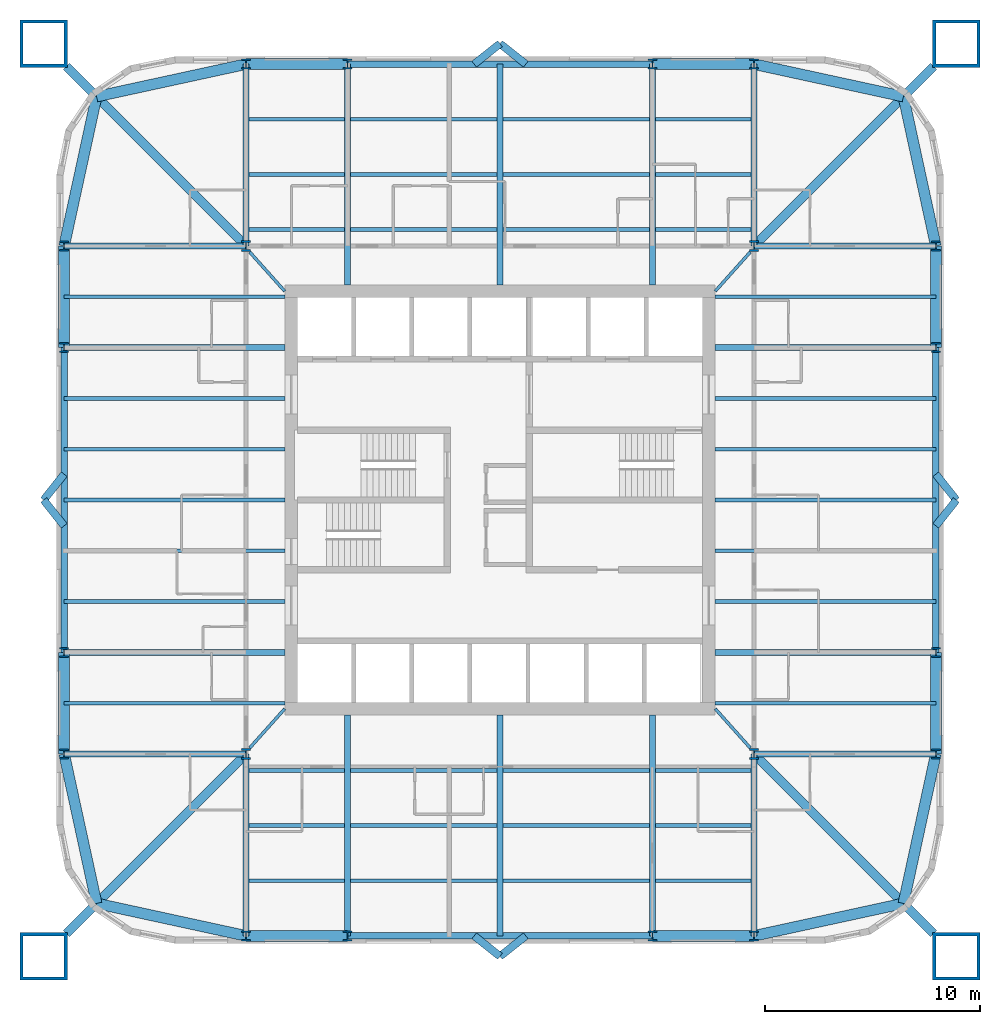
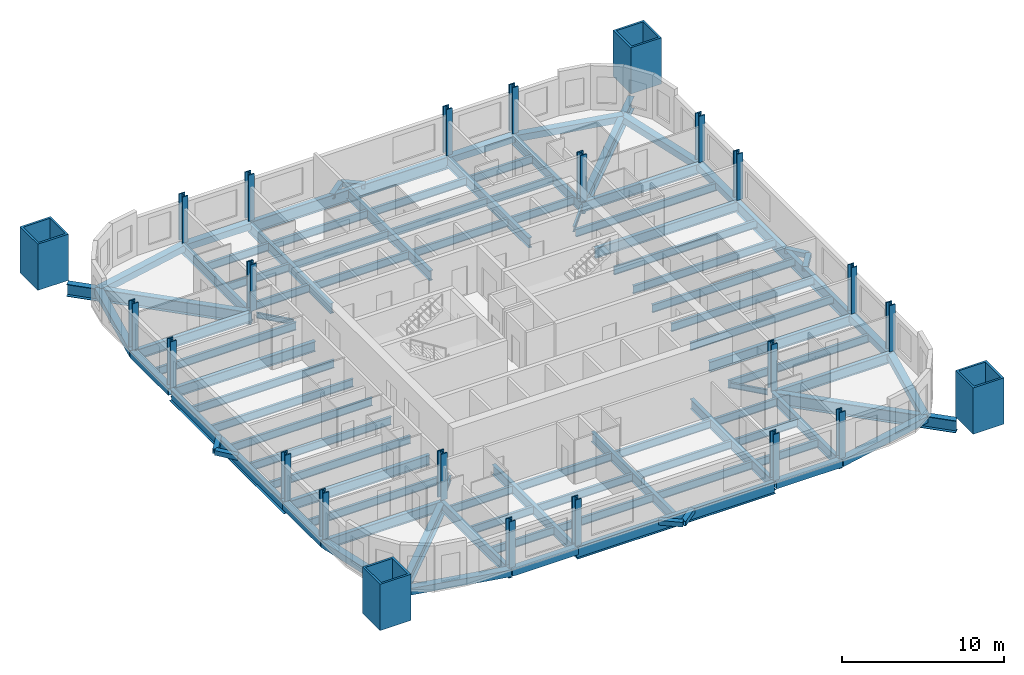
# One storey, part 1 of 9: 92 beams, 24 columns.
"""IFC4 building model written with IfcOpenShell, lengths in metres."""

from ifc_helpers import new_model, si_unit, direction, frame, origin, origin_2d, place, context, subcontext, project, spatial, hollow_rectangle, i_section, extrude, material, material_profile, profile_set, type_object, element, save


model = new_model("IFC4")

# Units and contexts
model_context = context("Model", 3, precision=1e-05, world=origin(), true_north=direction((0.0, 1.0)))
body_context = subcontext(model_context, "Body", "Model", "MODEL_VIEW")
ifc_project = project(units=[si_unit("LENGTHUNIT", "METRE"), si_unit("AREAUNIT", "SQUARE_METRE"), si_unit("VOLUMEUNIT", "CUBIC_METRE"), si_unit("PLANEANGLEUNIT", "RADIAN"), si_unit("MASSUNIT", "GRAM", prefix="KILO")], contexts=[model_context])

# Site, building, storey
site_placement = place(None, origin())
site = spatial("IfcSite", under=ifc_project, at=site_placement, CompositionType="ELEMENT")
building_placement = place(site_placement, origin())
building = spatial("IfcBuilding", under=site, at=building_placement, Name="Turquesa Mirador Hotel Tower", CompositionType="ELEMENT")
storey_placement = place(building_placement, frame((0.0, 0.0, 124.89990234375)))
storey = spatial("IfcBuildingStorey", under=building, at=storey_placement, Name="L33", CompositionType="ELEMENT", Elevation=124.89990234375)

# Columns
ifc_material_1 = material(Name="Steel ASTM A992 Grade 50", Category="steel")
ifc_material_profile_1 = material_profile(ifc_material_1, i_section(OverallWidth=0.421630859375, OverallDepth=0.46484375, WebThickness=0.044921875, FlangeThickness=0.072509765625, at=origin_2d()), Name="W14X398")
ifc_profile_set_1 = profile_set([ifc_material_profile_1], Name="Steel ASTM A992 Grade 50")
column_type_1 = type_object("IfcColumnType", Name="COLUMN W14X398", PredefinedType="COLUMN", material=ifc_profile_set_1)
for number, where, z_axis, x_axis, name in (
    (1, (34.75, 33.199951171875, 0.0), (0.0, 0.0, 1.0), (1.0, 0.0, 0.0), "COL-L33-P--20.25--11.80"),
    (2, (34.75, 37.919921875, 0.0), (0.0, 0.0, 1.0), (1.0, 0.0, 0.0), "COL-L33-P--20.25--7.08"),
    (3, (34.75, 52.080078125, 0.0), (0.0, 0.0, 1.0), (1.0, 0.0, 0.0), "COL-L33-P--20.25-+7.08"),
    (4, (34.75, 56.800048828125, 0.0), (0.0, 0.0, 1.0), (1.0, 0.0, 0.0), "COL-L33-P--20.25-+11.80"),
    (5, (43.199951171875, 24.75, 0.0), (0.0, 0.0, 1.0), (1.0, 0.0, 0.0), "COL-L33-P--11.80--20.25"),
    (6, (43.199951171875, 65.25, 0.0), (0.0, 0.0, 1.0), (1.0, 0.0, 0.0), "COL-L33-P--11.80-+20.25"),
    (7, (47.919921875, 24.75, 0.0), (0.0, 0.0, 1.0), (1.0, 0.0, 0.0), "COL-L33-P--7.08--20.25"),
    (8, (47.919921875, 65.25, 0.0), (0.0, 0.0, 1.0), (1.0, 0.0, 0.0), "COL-L33-P--7.08-+20.25"),
    (9, (62.080078125, 24.75, 0.0), (0.0, 0.0, 1.0), (1.0, 0.0, 0.0), "COL-L33-P-+7.08--20.25"),
    (10, (62.080078125, 65.25, 0.0), (0.0, 0.0, 1.0), (1.0, 0.0, 0.0), "COL-L33-P-+7.08-+20.25"),
    (11, (66.800048828125, 24.75, 0.0), (0.0, 0.0, 1.0), (1.0, 0.0, 0.0), "COL-L33-P-+11.80--20.25"),
    (12, (66.800048828125, 65.25, 0.0), (0.0, 0.0, 1.0), (1.0, 0.0, 0.0), "COL-L33-P-+11.80-+20.25"),
    (13, (75.25, 33.199951171875, 0.0), (0.0, 0.0, 1.0), (1.0, 0.0, 0.0), "COL-L33-P-+20.25--11.80"),
    (14, (75.25, 37.919921875, 0.0), (0.0, 0.0, 1.0), (1.0, 0.0, 0.0), "COL-L33-P-+20.25--7.08"),
    (15, (75.25, 52.080078125, 0.0), (0.0, 0.0, 1.0), (1.0, 0.0, 0.0), "COL-L33-P-+20.25-+7.08"),
    (16, (75.25, 56.800048828125, 0.0), (0.0, 0.0, 1.0), (1.0, 0.0, 0.0), "COL-L33-P-+20.25-+11.80"),
):
    element("IfcColumn", number, at=place(storey_placement, frame(where, z_axis=z_axis, x_axis=x_axis)), inside=storey, type_object=column_type_1, Name=name, PredefinedType="COLUMN", context=body_context, shape_type="SweptSolid", body=[
        extrude(i_section(OverallWidth=0.421630859375, OverallDepth=0.46484375, WebThickness=0.044921875, FlangeThickness=0.072509765625, at=origin_2d()), origin(), (0.0, 0.0, 1.0), 3.5),
    ])
ifc_material_2 = material(Name="Steel ASTM A992 Grade 50", Category="steel")
ifc_material_profile_2 = material_profile(ifc_material_2, i_section(OverallWidth=0.431884765625, OverallDepth=0.497802734375, WebThickness=0.0556640625, FlangeThickness=0.0888671875, at=origin_2d()), Name="W14X500")
ifc_profile_set_2 = profile_set([ifc_material_profile_2], Name="Steel ASTM A992 Grade 50")
column_type_2 = type_object("IfcColumnType", Name="COLUMN W14X500", PredefinedType="COLUMN", material=ifc_profile_set_2)
for number, where, z_axis, x_axis, name in (
    (17, (43.199951171875, 33.199951171875, 0.0), (0.0, 0.0, 1.0), (1.0, 0.0, 0.0), "COL-L33-K--11.80--11.80"),
    (18, (43.199951171875, 56.800048828125, 0.0), (0.0, 0.0, 1.0), (1.0, 0.0, 0.0), "COL-L33-K--11.80-+11.80"),
    (19, (66.800048828125, 33.199951171875, 0.0), (0.0, 0.0, 1.0), (1.0, 0.0, 0.0), "COL-L33-K-+11.80--11.80"),
    (20, (66.800048828125, 56.800048828125, 0.0), (0.0, 0.0, 1.0), (1.0, 0.0, 0.0), "COL-L33-K-+11.80-+11.80"),
):
    element("IfcColumn", number, at=place(storey_placement, frame(where, z_axis=z_axis, x_axis=x_axis)), inside=storey, type_object=column_type_2, Name=name, PredefinedType="COLUMN", context=body_context, shape_type="SweptSolid", body=[
        extrude(i_section(OverallWidth=0.431884765625, OverallDepth=0.497802734375, WebThickness=0.0556640625, FlangeThickness=0.0888671875, at=origin_2d()), origin(), (0.0, 0.0, 1.0), 3.5),
    ])
ifc_material_3 = material(Name="Steel ASTM A514 Grade Q", Category="steel")
ifc_material_profile_3 = material_profile(ifc_material_3, hollow_rectangle(XDim=2.199951171875, YDim=2.199951171875, WallThickness=0.14990234375, at=origin_2d()), Name="BOX2200X2200X150")
ifc_profile_set_3 = profile_set([ifc_material_profile_3], Name="Steel ASTM A514 Grade Q")
column_type_3 = type_object("IfcColumnType", Name="MEGA COLUMN BOX2200X2200X150", PredefinedType="COLUMN", material=ifc_profile_set_3)
for number, where, z_axis, x_axis, name in (
    (21, (76.199951171875, 66.199951171875, 0.0), (0.0, 0.0, 1.0), (1.0, 0.0, 0.0), "Mega column M1"),
    (22, (33.800048828125, 66.199951171875, 0.0), (0.0, 0.0, 1.0), (1.0, 0.0, 0.0), "Mega column M2"),
    (23, (33.800048828125, 23.800048828125, 0.0), (0.0, 0.0, 1.0), (1.0, 0.0, 0.0), "Mega column M3"),
    (24, (76.199951171875, 23.800048828125, 0.0), (0.0, 0.0, 1.0), (1.0, 0.0, 0.0), "Mega column M4"),
):
    element("IfcColumn", number, at=place(storey_placement, frame(where, z_axis=z_axis, x_axis=x_axis)), inside=storey, type_object=column_type_3, Name=name, PredefinedType="COLUMN", context=body_context, shape_type="SweptSolid", body=[
        extrude(hollow_rectangle(XDim=2.199951171875, YDim=2.199951171875, WallThickness=0.14990234375, at=origin_2d()), origin(), (0.0, 0.0, 1.0), 3.5),
    ])

# Beams
ifc_material_4 = material(Name="Steel ASTM A572 Grade 50", Category="steel")
ifc_material_profile_4 = material_profile(ifc_material_4, hollow_rectangle(XDim=0.5, YDim=0.5, WallThickness=0.01611328125, at=origin_2d()), Name="BOX500X500X16")
ifc_profile_set_4 = profile_set([ifc_material_profile_4], Name="Steel ASTM A572 Grade 50")
beam_type_1 = type_object("IfcBeamType", Name="BEAM BOX500X500X16", PredefinedType="BEAM", material=ifc_profile_set_4)
for number, where, z_axis, x_axis, name in (
    (25, (43.199951171875, 65.25, -0.419921875), (1.0, 0.0, 0.0), (0.0, 1.0, 0.0), "EB-L33-N-L"),
    (26, (62.080078125, 65.25, -0.419921875), (1.0, 0.0, 0.0), (0.0, 1.0, 0.0), "EB-L33-N-R"),
    (27, (43.199951171875, 24.75, -0.419921875), (1.0, 0.0, 0.0), (0.0, 1.0, 0.0), "EB-L33-S-L"),
    (28, (62.080078125, 24.75, -0.419921875), (1.0, 0.0, 0.0), (0.0, 1.0, 0.0), "EB-L33-S-R"),
    (29, (75.25, 33.199951171875, -0.419921875), (0.0, 1.0, 0.0), (-1.0, 0.0, 0.0), "EB-L33-E-L"),
    (30, (75.25, 52.080078125, -0.419921875), (0.0, 1.0, 0.0), (-1.0, 0.0, 0.0), "EB-L33-E-R"),
    (31, (34.75, 33.199951171875, -0.419921875), (0.0, 1.0, 0.0), (-1.0, 0.0, 0.0), "EB-L33-W-L"),
    (32, (34.75, 52.080078125, -0.419921875), (0.0, 1.0, 0.0), (-1.0, 0.0, 0.0), "EB-L33-W-R"),
):
    element("IfcBeam", number, at=place(storey_placement, frame(where, z_axis=z_axis, x_axis=x_axis)), inside=storey, type_object=beam_type_1, Name=name, PredefinedType="BEAM", context=body_context, shape_type="SweptSolid", body=[
        extrude(hollow_rectangle(XDim=0.5, YDim=0.5, WallThickness=0.01611328125, at=origin_2d()), origin(), (0.0, 0.0, 1.0), 4.719970703125),
    ])
for number, where, z_axis, x_axis, name in (
    (33, (75.25, 56.800048828125, -0.419921875), (-0.212328336885, 0.977198381781, 0.0), (-0.977198381781, -0.212328336885, 0.0), "KE-L33-1-0"),
    (34, (73.74169921875, 63.74169921875, -0.419921875), (-0.977198381781, 0.212328336885, 0.0), (-0.212328336885, -0.977198381781, 0.0), "KE-L33-1-1"),
    (35, (34.75, 56.800048828125, -0.419921875), (0.212328336885, 0.977198381781, 0.0), (-0.977198381781, 0.212328336885, 0.0), "KE-L33-2-0"),
    (36, (36.25830078125, 63.74169921875, -0.419921875), (0.977198381781, 0.212328336885, 0.0), (-0.212328336885, 0.977198381781, 0.0), "KE-L33-2-1"),
    (37, (34.75, 33.199951171875, -0.419921875), (0.212328336885, -0.977198381781, 0.0), (0.977198381781, 0.212328336885, 0.0), "KE-L33-3-0"),
    (38, (36.25830078125, 26.25830078125, -0.419921875), (0.977198381781, -0.212328336885, 0.0), (0.212328336885, 0.977198381781, 0.0), "KE-L33-3-1"),
    (39, (75.25, 33.199951171875, -0.419921875), (-0.212328336885, -0.977198381781, 0.0), (0.977198381781, -0.212328336885, 0.0), "KE-L33-4-0"),
    (40, (73.74169921875, 26.25830078125, -0.419921875), (-0.977198381781, -0.212328336885, 0.0), (0.212328336885, -0.977198381781, 0.0), "KE-L33-4-1"),
):
    element("IfcBeam", number, at=place(storey_placement, frame(where, z_axis=z_axis, x_axis=x_axis)), inside=storey, type_object=beam_type_1, Name=name, PredefinedType="BEAM", context=body_context, shape_type="SweptSolid", body=[
        extrude(hollow_rectangle(XDim=0.5, YDim=0.5, WallThickness=0.01611328125, at=origin_2d()), origin(), (0.0, 0.0, 1.0), 7.103515625),
    ])
ifc_material_5 = material(Name="Steel ASTM A992 Grade 50", Category="steel")
ifc_material_profile_5 = material_profile(ifc_material_5, i_section(OverallWidth=0.140380859375, OverallDepth=0.40380859375, WebThickness=0.007080078125, FlangeThickness=0.01123046875, at=origin_2d()), Name="W16X31")
ifc_profile_set_5 = profile_set([ifc_material_profile_5], Name="Steel ASTM A992 Grade 50")
beam_type_2 = type_object("IfcBeamType", Name="BEAM W16X31", PredefinedType="BEAM", material=ifc_profile_set_5)
for number, where, z_axis, x_axis, name in (
    (41, (66.626953125, 56.518310546875, -0.371826171875), (-0.66679485947, -0.745241313525, 0.0), (0.745241313525, -0.66679485947, 0.0), "KT-L33-1"),
    (42, (43.373046875, 56.518310546875, -0.371826171875), (0.66679485947, -0.745241313525, 0.0), (0.745241313525, 0.66679485947, 0.0), "KT-L33-2"),
    (43, (43.373046875, 33.481689453125, -0.371826171875), (0.66679485947, 0.745241313525, 0.0), (-0.745241313525, 0.66679485947, 0.0), "KT-L33-3"),
    (44, (66.626953125, 33.481689453125, -0.371826171875), (-0.66679485947, 0.745241313525, 0.0), (-0.745241313525, -0.66679485947, 0.0), "KT-L33-4"),
):
    element("IfcBeam", number, at=place(storey_placement, frame(where, z_axis=z_axis, x_axis=x_axis)), inside=storey, type_object=beam_type_2, Name=name, PredefinedType="BEAM", context=body_context, shape_type="SweptSolid", body=[
        extrude(i_section(OverallWidth=0.140380859375, OverallDepth=0.40380859375, WebThickness=0.007080078125, FlangeThickness=0.01123046875, at=origin_2d()), origin(), (0.0, 0.0, 1.0), 2.43994140625),
    ])
ifc_material_6 = material(Name="Steel ASTM A992 Grade 50", Category="steel")
ifc_material_profile_6 = material_profile(ifc_material_6, i_section(OverallWidth=0.177978515625, OverallDepth=0.599365234375, WebThickness=0.010009765625, FlangeThickness=0.012939453125, at=origin_2d()), Name="W24X55")
ifc_profile_set_6 = profile_set([ifc_material_profile_6], Name="Steel ASTM A992 Grade 50")
beam_type_3 = type_object("IfcBeamType", Name="BEAM W24X55", PredefinedType="BEAM", material=ifc_profile_set_6)
beam_1_placement = place(storey_placement, frame((43.333251953125, 57.56201171875, -0.4697265625), z_axis=(1.0, 0.0, 0.0), x_axis=(0.0, 1.0, 0.0)))
element("IfcBeam", 45, at=beam_1_placement, inside=storey, type_object=beam_type_3, Name="IB-L33-N-1-0", PredefinedType="BEAM", context=body_context, shape_type="SweptSolid", body=[
    extrude(i_section(OverallWidth=0.177978515625, OverallDepth=0.599365234375, WebThickness=0.010009765625, FlangeThickness=0.012939453125, at=origin_2d()), origin(), (0.0, 0.0, 1.0), 4.453369140625),
])
for number, where, z_axis, x_axis, name in (
    (46, (48.053466796875, 57.56201171875, -0.4697265625), (1.0, 0.0, 0.0), (0.0, 1.0, 0.0), "IB-L33-N-1-1"),
    (47, (55.13330078125, 57.56201171875, -0.4697265625), (1.0, 0.0, 0.0), (0.0, 1.0, 0.0), "IB-L33-N-1-2"),
):
    element("IfcBeam", number, at=place(storey_placement, frame(where, z_axis=z_axis, x_axis=x_axis)), inside=storey, type_object=beam_type_3, Name=name, PredefinedType="BEAM", context=body_context, shape_type="SweptSolid", body=[
        extrude(i_section(OverallWidth=0.177978515625, OverallDepth=0.599365234375, WebThickness=0.010009765625, FlangeThickness=0.012939453125, at=origin_2d()), origin(), (0.0, 0.0, 1.0), 6.813232421875),
    ])
for number, where, z_axis, x_axis, name in (
    (48, (62.21337890625, 57.56201171875, -0.4697265625), (1.0, 0.0, 0.0), (0.0, 1.0, 0.0), "IB-L33-N-1-3"),
    (49, (43.333251953125, 60.125, -0.4697265625), (1.0, 0.0, 0.0), (0.0, 1.0, 0.0), "IB-L33-N-2-0"),
):
    element("IfcBeam", number, at=place(storey_placement, frame(where, z_axis=z_axis, x_axis=x_axis)), inside=storey, type_object=beam_type_3, Name=name, PredefinedType="BEAM", context=body_context, shape_type="SweptSolid", body=[
        extrude(i_section(OverallWidth=0.177978515625, OverallDepth=0.599365234375, WebThickness=0.010009765625, FlangeThickness=0.012939453125, at=origin_2d()), origin(), (0.0, 0.0, 1.0), 4.453369140625),
    ])
for number, where, z_axis, x_axis, name in (
    (50, (48.053466796875, 60.125, -0.4697265625), (1.0, 0.0, 0.0), (0.0, 1.0, 0.0), "IB-L33-N-2-1"),
    (51, (55.13330078125, 60.125, -0.4697265625), (1.0, 0.0, 0.0), (0.0, 1.0, 0.0), "IB-L33-N-2-2"),
):
    element("IfcBeam", number, at=place(storey_placement, frame(where, z_axis=z_axis, x_axis=x_axis)), inside=storey, type_object=beam_type_3, Name=name, PredefinedType="BEAM", context=body_context, shape_type="SweptSolid", body=[
        extrude(i_section(OverallWidth=0.177978515625, OverallDepth=0.599365234375, WebThickness=0.010009765625, FlangeThickness=0.012939453125, at=origin_2d()), origin(), (0.0, 0.0, 1.0), 6.813232421875),
    ])
for number, where, z_axis, x_axis, name in (
    (52, (62.21337890625, 60.125, -0.4697265625), (1.0, 0.0, 0.0), (0.0, 1.0, 0.0), "IB-L33-N-2-3"),
    (53, (43.333251953125, 62.68798828125, -0.4697265625), (1.0, 0.0, 0.0), (0.0, 1.0, 0.0), "IB-L33-N-3-0"),
):
    element("IfcBeam", number, at=place(storey_placement, frame(where, z_axis=z_axis, x_axis=x_axis)), inside=storey, type_object=beam_type_3, Name=name, PredefinedType="BEAM", context=body_context, shape_type="SweptSolid", body=[
        extrude(i_section(OverallWidth=0.177978515625, OverallDepth=0.599365234375, WebThickness=0.010009765625, FlangeThickness=0.012939453125, at=origin_2d()), origin(), (0.0, 0.0, 1.0), 4.453369140625),
    ])
for number, where, z_axis, x_axis, name in (
    (54, (48.053466796875, 62.68798828125, -0.4697265625), (1.0, 0.0, 0.0), (0.0, 1.0, 0.0), "IB-L33-N-3-1"),
    (55, (55.13330078125, 62.68798828125, -0.4697265625), (1.0, 0.0, 0.0), (0.0, 1.0, 0.0), "IB-L33-N-3-2"),
):
    element("IfcBeam", number, at=place(storey_placement, frame(where, z_axis=z_axis, x_axis=x_axis)), inside=storey, type_object=beam_type_3, Name=name, PredefinedType="BEAM", context=body_context, shape_type="SweptSolid", body=[
        extrude(i_section(OverallWidth=0.177978515625, OverallDepth=0.599365234375, WebThickness=0.010009765625, FlangeThickness=0.012939453125, at=origin_2d()), origin(), (0.0, 0.0, 1.0), 6.813232421875),
    ])
for number, where, z_axis, x_axis, name in (
    (56, (62.21337890625, 62.68798828125, -0.4697265625), (1.0, 0.0, 0.0), (0.0, 1.0, 0.0), "IB-L33-N-3-3"),
    (57, (43.333251953125, 32.43798828125, -0.4697265625), (1.0, 0.0, 0.0), (0.0, 1.0, 0.0), "IB-L33-S-1-0"),
):
    element("IfcBeam", number, at=place(storey_placement, frame(where, z_axis=z_axis, x_axis=x_axis)), inside=storey, type_object=beam_type_3, Name=name, PredefinedType="BEAM", context=body_context, shape_type="SweptSolid", body=[
        extrude(i_section(OverallWidth=0.177978515625, OverallDepth=0.599365234375, WebThickness=0.010009765625, FlangeThickness=0.012939453125, at=origin_2d()), origin(), (0.0, 0.0, 1.0), 4.453369140625),
    ])
for number, where, z_axis, x_axis, name in (
    (58, (48.053466796875, 32.43798828125, -0.4697265625), (1.0, 0.0, 0.0), (0.0, 1.0, 0.0), "IB-L33-S-1-1"),
    (59, (55.13330078125, 32.43798828125, -0.4697265625), (1.0, 0.0, 0.0), (0.0, 1.0, 0.0), "IB-L33-S-1-2"),
):
    element("IfcBeam", number, at=place(storey_placement, frame(where, z_axis=z_axis, x_axis=x_axis)), inside=storey, type_object=beam_type_3, Name=name, PredefinedType="BEAM", context=body_context, shape_type="SweptSolid", body=[
        extrude(i_section(OverallWidth=0.177978515625, OverallDepth=0.599365234375, WebThickness=0.010009765625, FlangeThickness=0.012939453125, at=origin_2d()), origin(), (0.0, 0.0, 1.0), 6.813232421875),
    ])
for number, where, z_axis, x_axis, name in (
    (60, (62.21337890625, 32.43798828125, -0.4697265625), (1.0, 0.0, 0.0), (0.0, 1.0, 0.0), "IB-L33-S-1-3"),
    (61, (43.333251953125, 29.875, -0.4697265625), (1.0, 0.0, 0.0), (0.0, 1.0, 0.0), "IB-L33-S-2-0"),
):
    element("IfcBeam", number, at=place(storey_placement, frame(where, z_axis=z_axis, x_axis=x_axis)), inside=storey, type_object=beam_type_3, Name=name, PredefinedType="BEAM", context=body_context, shape_type="SweptSolid", body=[
        extrude(i_section(OverallWidth=0.177978515625, OverallDepth=0.599365234375, WebThickness=0.010009765625, FlangeThickness=0.012939453125, at=origin_2d()), origin(), (0.0, 0.0, 1.0), 4.453369140625),
    ])
for number, where, z_axis, x_axis, name in (
    (62, (48.053466796875, 29.875, -0.4697265625), (1.0, 0.0, 0.0), (0.0, 1.0, 0.0), "IB-L33-S-2-1"),
    (63, (55.13330078125, 29.875, -0.4697265625), (1.0, 0.0, 0.0), (0.0, 1.0, 0.0), "IB-L33-S-2-2"),
):
    element("IfcBeam", number, at=place(storey_placement, frame(where, z_axis=z_axis, x_axis=x_axis)), inside=storey, type_object=beam_type_3, Name=name, PredefinedType="BEAM", context=body_context, shape_type="SweptSolid", body=[
        extrude(i_section(OverallWidth=0.177978515625, OverallDepth=0.599365234375, WebThickness=0.010009765625, FlangeThickness=0.012939453125, at=origin_2d()), origin(), (0.0, 0.0, 1.0), 6.813232421875),
    ])
for number, where, z_axis, x_axis, name in (
    (64, (62.21337890625, 29.875, -0.4697265625), (1.0, 0.0, 0.0), (0.0, 1.0, 0.0), "IB-L33-S-2-3"),
    (65, (43.333251953125, 27.31201171875, -0.4697265625), (1.0, 0.0, 0.0), (0.0, 1.0, 0.0), "IB-L33-S-3-0"),
):
    element("IfcBeam", number, at=place(storey_placement, frame(where, z_axis=z_axis, x_axis=x_axis)), inside=storey, type_object=beam_type_3, Name=name, PredefinedType="BEAM", context=body_context, shape_type="SweptSolid", body=[
        extrude(i_section(OverallWidth=0.177978515625, OverallDepth=0.599365234375, WebThickness=0.010009765625, FlangeThickness=0.012939453125, at=origin_2d()), origin(), (0.0, 0.0, 1.0), 4.453369140625),
    ])
for number, where, z_axis, x_axis, name in (
    (66, (48.053466796875, 27.31201171875, -0.4697265625), (1.0, 0.0, 0.0), (0.0, 1.0, 0.0), "IB-L33-S-3-1"),
    (67, (55.13330078125, 27.31201171875, -0.4697265625), (1.0, 0.0, 0.0), (0.0, 1.0, 0.0), "IB-L33-S-3-2"),
):
    element("IfcBeam", number, at=place(storey_placement, frame(where, z_axis=z_axis, x_axis=x_axis)), inside=storey, type_object=beam_type_3, Name=name, PredefinedType="BEAM", context=body_context, shape_type="SweptSolid", body=[
        extrude(i_section(OverallWidth=0.177978515625, OverallDepth=0.599365234375, WebThickness=0.010009765625, FlangeThickness=0.012939453125, at=origin_2d()), origin(), (0.0, 0.0, 1.0), 6.813232421875),
    ])
beam_2_placement = place(storey_placement, frame((62.21337890625, 27.31201171875, -0.4697265625), z_axis=(1.0, 0.0, 0.0), x_axis=(0.0, 1.0, 0.0)))
element("IfcBeam", 68, at=beam_2_placement, inside=storey, type_object=beam_type_3, Name="IB-L33-S-3-3", PredefinedType="BEAM", context=body_context, shape_type="SweptSolid", body=[
    extrude(i_section(OverallWidth=0.177978515625, OverallDepth=0.599365234375, WebThickness=0.010009765625, FlangeThickness=0.012939453125, at=origin_2d()), origin(), (0.0, 0.0, 1.0), 4.453369140625),
])
for number, where, z_axis, x_axis, name in (
    (69, (75.25, 35.56005859375, -0.4697265625), (-1.0, 0.0, 0.0), (0.0, -1.0, 0.0), "BM-L33-E--9.44"),
    (70, (75.25, 40.280029296875, -0.4697265625), (-1.0, 0.0, 0.0), (0.0, -1.0, 0.0), "BM-L33-E--4.72"),
    (71, (75.25, 42.639892578125, -0.4697265625), (-1.0, 0.0, 0.0), (0.0, -1.0, 0.0), "BM-L33-E--2.36"),
    (72, (75.25, 45.0, -0.4697265625), (-1.0, 0.0, 0.0), (0.0, -1.0, 0.0), "BM-L33-E-+0.00"),
    (73, (75.25, 47.360107421875, -0.4697265625), (-1.0, 0.0, 0.0), (0.0, -1.0, 0.0), "BM-L33-E-+2.36"),
    (74, (75.25, 49.719970703125, -0.4697265625), (-1.0, 0.0, 0.0), (0.0, -1.0, 0.0), "BM-L33-E-+4.72"),
    (75, (75.25, 54.43994140625, -0.4697265625), (-1.0, 0.0, 0.0), (0.0, -1.0, 0.0), "BM-L33-E-+9.44"),
    (76, (34.75, 35.56005859375, -0.4697265625), (1.0, 0.0, 0.0), (0.0, 1.0, 0.0), "BM-L33-W--9.44"),
    (77, (34.75, 40.280029296875, -0.4697265625), (1.0, 0.0, 0.0), (0.0, 1.0, 0.0), "BM-L33-W--4.72"),
    (78, (34.75, 42.639892578125, -0.4697265625), (1.0, 0.0, 0.0), (0.0, 1.0, 0.0), "BM-L33-W--2.36"),
    (79, (34.75, 45.0, -0.4697265625), (1.0, 0.0, 0.0), (0.0, 1.0, 0.0), "BM-L33-W-+0.00"),
    (80, (34.75, 47.360107421875, -0.4697265625), (1.0, 0.0, 0.0), (0.0, 1.0, 0.0), "BM-L33-W-+2.36"),
    (81, (34.75, 49.719970703125, -0.4697265625), (1.0, 0.0, 0.0), (0.0, 1.0, 0.0), "BM-L33-W-+4.72"),
    (82, (34.75, 54.43994140625, -0.4697265625), (1.0, 0.0, 0.0), (0.0, 1.0, 0.0), "BM-L33-W-+9.44"),
):
    element("IfcBeam", number, at=place(storey_placement, frame(where, z_axis=z_axis, x_axis=x_axis)), inside=storey, type_object=beam_type_3, Name=name, PredefinedType="BEAM", context=body_context, shape_type="SweptSolid", body=[
        extrude(i_section(OverallWidth=0.177978515625, OverallDepth=0.599365234375, WebThickness=0.010009765625, FlangeThickness=0.012939453125, at=origin_2d()), origin(), (0.0, 0.0, 1.0), 10.25),
    ])
ifc_material_7 = material(Name="Steel ASTM A992 Grade 50", Category="steel")
ifc_material_profile_7 = material_profile(ifc_material_7, i_section(OverallWidth=0.2666015625, OverallDepth=0.7568359375, WebThickness=0.013916015625, FlangeThickness=0.019287109375, at=origin_2d()), Name="W30X108")
ifc_profile_set_7 = profile_set([ifc_material_profile_7], Name="Steel ASTM A992 Grade 50")
beam_type_4 = type_object("IfcBeamType", Name="BEAM W30X108", PredefinedType="BEAM", material=ifc_profile_set_7)
for number, where, z_axis, x_axis, name in (
    (83, (47.919921875, 65.25, -0.54833984375), (0.0, -1.0, 0.0), (1.0, 0.0, 0.0), "GD-L33-N--7.08"),
    (84, (62.080078125, 65.25, -0.54833984375), (0.0, -1.0, 0.0), (1.0, 0.0, 0.0), "GD-L33-N-+7.08"),
    (85, (55.0, 65.25, -0.54833984375), (0.0, -1.0, 0.0), (1.0, 0.0, 0.0), "GD-L33-N-+0.00"),
):
    element("IfcBeam", number, at=place(storey_placement, frame(where, z_axis=z_axis, x_axis=x_axis)), inside=storey, type_object=beam_type_4, Name=name, PredefinedType="BEAM", context=body_context, shape_type="SweptSolid", body=[
        extrude(i_section(OverallWidth=0.2666015625, OverallDepth=0.7568359375, WebThickness=0.013916015625, FlangeThickness=0.019287109375, at=origin_2d()), origin(), (0.0, 0.0, 1.0), 10.25),
    ])
for number, where, z_axis, x_axis, name in (
    (86, (43.199951171875, 65.25, -0.54833984375), (0.0, -1.0, 0.0), (1.0, 0.0, 0.0), "GK-L33-N--11.80"),
    (87, (66.800048828125, 65.25, -0.54833984375), (0.0, -1.0, 0.0), (1.0, 0.0, 0.0), "GK-L33-N-+11.80"),
):
    element("IfcBeam", number, at=place(storey_placement, frame(where, z_axis=z_axis, x_axis=x_axis)), inside=storey, type_object=beam_type_4, Name=name, PredefinedType="BEAM", context=body_context, shape_type="SweptSolid", body=[
        extrude(i_section(OverallWidth=0.2666015625, OverallDepth=0.7568359375, WebThickness=0.013916015625, FlangeThickness=0.019287109375, at=origin_2d()), origin(), (0.0, 0.0, 1.0), 8.449951171875),
    ])
for number, where, z_axis, x_axis, name in (
    (88, (47.919921875, 24.75, -0.54833984375), (0.0, 1.0, 0.0), (-1.0, 0.0, 0.0), "GD-L33-S--7.08"),
    (89, (62.080078125, 24.75, -0.54833984375), (0.0, 1.0, 0.0), (-1.0, 0.0, 0.0), "GD-L33-S-+7.08"),
    (90, (55.0, 24.75, -0.54833984375), (0.0, 1.0, 0.0), (-1.0, 0.0, 0.0), "GD-L33-S-+0.00"),
):
    element("IfcBeam", number, at=place(storey_placement, frame(where, z_axis=z_axis, x_axis=x_axis)), inside=storey, type_object=beam_type_4, Name=name, PredefinedType="BEAM", context=body_context, shape_type="SweptSolid", body=[
        extrude(i_section(OverallWidth=0.2666015625, OverallDepth=0.7568359375, WebThickness=0.013916015625, FlangeThickness=0.019287109375, at=origin_2d()), origin(), (0.0, 0.0, 1.0), 10.25),
    ])
for number, where, z_axis, x_axis, name in (
    (91, (43.199951171875, 24.75, -0.54833984375), (0.0, 1.0, 0.0), (-1.0, 0.0, 0.0), "GK-L33-S--11.80"),
    (92, (66.800048828125, 24.75, -0.54833984375), (0.0, 1.0, 0.0), (-1.0, 0.0, 0.0), "GK-L33-S-+11.80"),
):
    element("IfcBeam", number, at=place(storey_placement, frame(where, z_axis=z_axis, x_axis=x_axis)), inside=storey, type_object=beam_type_4, Name=name, PredefinedType="BEAM", context=body_context, shape_type="SweptSolid", body=[
        extrude(i_section(OverallWidth=0.2666015625, OverallDepth=0.7568359375, WebThickness=0.013916015625, FlangeThickness=0.019287109375, at=origin_2d()), origin(), (0.0, 0.0, 1.0), 8.449951171875),
    ])
for number, where, z_axis, x_axis, name in (
    (93, (75.25, 37.919921875, -0.54833984375), (-1.0, 0.0, 0.0), (0.0, -1.0, 0.0), "GD-L33-E--7.08"),
    (94, (75.25, 52.080078125, -0.54833984375), (-1.0, 0.0, 0.0), (0.0, -1.0, 0.0), "GD-L33-E-+7.08"),
):
    element("IfcBeam", number, at=place(storey_placement, frame(where, z_axis=z_axis, x_axis=x_axis)), inside=storey, type_object=beam_type_4, Name=name, PredefinedType="BEAM", context=body_context, shape_type="SweptSolid", body=[
        extrude(i_section(OverallWidth=0.2666015625, OverallDepth=0.7568359375, WebThickness=0.013916015625, FlangeThickness=0.019287109375, at=origin_2d()), origin(), (0.0, 0.0, 1.0), 10.25),
    ])
for number, where, z_axis, x_axis, name in (
    (95, (75.25, 33.199951171875, -0.54833984375), (-1.0, 0.0, 0.0), (0.0, -1.0, 0.0), "GK-L33-E--11.80"),
    (96, (75.25, 56.800048828125, -0.54833984375), (-1.0, 0.0, 0.0), (0.0, -1.0, 0.0), "GK-L33-E-+11.80"),
):
    element("IfcBeam", number, at=place(storey_placement, frame(where, z_axis=z_axis, x_axis=x_axis)), inside=storey, type_object=beam_type_4, Name=name, PredefinedType="BEAM", context=body_context, shape_type="SweptSolid", body=[
        extrude(i_section(OverallWidth=0.2666015625, OverallDepth=0.7568359375, WebThickness=0.013916015625, FlangeThickness=0.019287109375, at=origin_2d()), origin(), (0.0, 0.0, 1.0), 8.449951171875),
    ])
for number, where, z_axis, x_axis, name in (
    (97, (34.75, 37.919921875, -0.54833984375), (1.0, 0.0, 0.0), (0.0, 1.0, 0.0), "GD-L33-W--7.08"),
    (98, (34.75, 52.080078125, -0.54833984375), (1.0, 0.0, 0.0), (0.0, 1.0, 0.0), "GD-L33-W-+7.08"),
):
    element("IfcBeam", number, at=place(storey_placement, frame(where, z_axis=z_axis, x_axis=x_axis)), inside=storey, type_object=beam_type_4, Name=name, PredefinedType="BEAM", context=body_context, shape_type="SweptSolid", body=[
        extrude(i_section(OverallWidth=0.2666015625, OverallDepth=0.7568359375, WebThickness=0.013916015625, FlangeThickness=0.019287109375, at=origin_2d()), origin(), (0.0, 0.0, 1.0), 10.25),
    ])
for number, where, z_axis, x_axis, name in (
    (99, (34.75, 33.199951171875, -0.54833984375), (1.0, 0.0, 0.0), (0.0, 1.0, 0.0), "GK-L33-W--11.80"),
    (100, (34.75, 56.800048828125, -0.54833984375), (1.0, 0.0, 0.0), (0.0, 1.0, 0.0), "GK-L33-W-+11.80"),
):
    element("IfcBeam", number, at=place(storey_placement, frame(where, z_axis=z_axis, x_axis=x_axis)), inside=storey, type_object=beam_type_4, Name=name, PredefinedType="BEAM", context=body_context, shape_type="SweptSolid", body=[
        extrude(i_section(OverallWidth=0.2666015625, OverallDepth=0.7568359375, WebThickness=0.013916015625, FlangeThickness=0.019287109375, at=origin_2d()), origin(), (0.0, 0.0, 1.0), 8.449951171875),
    ])
ifc_material_8 = material(Name="Steel ASTM A992 Grade 50", Category="steel")
ifc_material_profile_8 = material_profile(ifc_material_8, i_section(OverallWidth=0.3046875, OverallDepth=0.911865234375, WebThickness=0.015869140625, FlangeThickness=0.02392578125, at=origin_2d()), Name="W36X150")
ifc_profile_set_8 = profile_set([ifc_material_profile_8], Name="Steel ASTM A992 Grade 50")
beam_type_5 = type_object("IfcBeamType", Name="BEAM W36X150", PredefinedType="BEAM", material=ifc_profile_set_8)
for number, where, z_axis, x_axis, name in (
    (101, (47.919921875, 65.25, -0.625732421875), (1.0, 0.0, 0.0), (0.0, 1.0, 0.0), "EB-L33-N-C"),
    (102, (47.919921875, 24.75, -0.625732421875), (1.0, 0.0, 0.0), (0.0, 1.0, 0.0), "EB-L33-S-C"),
    (103, (75.25, 37.919921875, -0.625732421875), (0.0, 1.0, 0.0), (-1.0, 0.0, 0.0), "EB-L33-E-C"),
    (104, (34.75, 37.919921875, -0.625732421875), (0.0, 1.0, 0.0), (-1.0, 0.0, 0.0), "EB-L33-W-C"),
):
    element("IfcBeam", number, at=place(storey_placement, frame(where, z_axis=z_axis, x_axis=x_axis)), inside=storey, type_object=beam_type_5, Name=name, PredefinedType="BEAM", context=body_context, shape_type="SweptSolid", body=[
        extrude(i_section(OverallWidth=0.3046875, OverallDepth=0.911865234375, WebThickness=0.015869140625, FlangeThickness=0.02392578125, at=origin_2d()), origin(), (0.0, 0.0, 1.0), 14.16015625),
    ])
ifc_material_9 = material(Name="Steel ASTM A992 Grade 50", Category="steel")
ifc_material_profile_9 = material_profile(ifc_material_9, i_section(OverallWidth=0.419189453125, OverallDepth=0.927001953125, WebThickness=0.019287109375, FlangeThickness=0.031982421875, at=origin_2d()), Name="W36X231")
ifc_profile_set_9 = profile_set([ifc_material_profile_9], Name="Steel ASTM A992 Grade 50")
beam_type_6 = type_object("IfcBeamType", Name="BEAM W36X231", PredefinedType="BEAM", material=ifc_profile_set_9)
for number, where, z_axis, x_axis, name in (
    (105, (66.800048828125, 56.800048828125, -0.633544921875), (0.707106781187, 0.707106781187, 0.0), (-0.707106781187, 0.707106781187, 0.0), "KD-L33-1"),
    (106, (43.199951171875, 56.800048828125, -0.633544921875), (-0.707106781187, 0.707106781187, 0.0), (-0.707106781187, -0.707106781187, 0.0), "KD-L33-2"),
    (107, (43.199951171875, 33.199951171875, -0.633544921875), (-0.707106781187, -0.707106781187, 0.0), (0.707106781187, -0.707106781187, 0.0), "KD-L33-3"),
    (108, (66.800048828125, 33.199951171875, -0.633544921875), (0.707106781187, -0.707106781187, 0.0), (0.707106781187, 0.707106781187, 0.0), "KD-L33-4"),
):
    element("IfcBeam", number, at=place(storey_placement, frame(where, z_axis=z_axis, x_axis=x_axis)), inside=storey, type_object=beam_type_6, Name=name, PredefinedType="BEAM", context=body_context, shape_type="SweptSolid", body=[
        extrude(i_section(OverallWidth=0.419189453125, OverallDepth=0.927001953125, WebThickness=0.019287109375, FlangeThickness=0.031982421875, at=origin_2d()), origin(), (0.0, 0.0, 1.0), 11.80859375),
    ])
ifc_material_10 = material(Name="Steel ASTM A500 Grade C", Category="steel")
ifc_material_profile_10 = material_profile(ifc_material_10, hollow_rectangle(XDim=0.355712890625, YDim=0.355712890625, WallThickness=0.0146484375, at=origin_2d()), Name="HSS14X14X5/8")
ifc_profile_set_10 = profile_set([ifc_material_profile_10], Name="Steel ASTM A500 Grade C")
beam_type_7 = type_object("IfcBeamType", Name="BRACE STRUT HSS14X14X5/8", PredefinedType="BEAM", material=ifc_profile_set_10)
for number, where, z_axis, x_axis, name in (
    (109, (55.0, 66.199951171875, -0.34765625), (-0.784049059149, -0.620698858423, 0.0), (0.620698858423, -0.784049059149, 0.0), "Brace strut"),
    (110, (55.0, 66.199951171875, -0.34765625), (0.784049059149, -0.620698858423, 0.0), (0.620698858423, 0.784049059149, 0.0), "Brace strut"),
    (111, (55.0, 23.800048828125, -0.34765625), (-0.784049059149, 0.620698858423, 0.0), (-0.620698858423, -0.784049059149, 0.0), "Brace strut"),
    (112, (55.0, 23.800048828125, -0.34765625), (0.784049059149, 0.620698858423, 0.0), (-0.620698858423, 0.784049059149, 0.0), "Brace strut"),
    (113, (76.199951171875, 45.0, -0.34765625), (-0.620698858423, -0.784049059149, 0.0), (0.784049059149, -0.620698858423, 0.0), "Brace strut"),
    (114, (76.199951171875, 45.0, -0.34765625), (-0.620698858423, 0.784049059149, 0.0), (-0.784049059149, -0.620698858423, 0.0), "Brace strut"),
    (115, (33.800048828125, 45.0, -0.34765625), (0.620698858423, -0.784049059149, 0.0), (0.784049059149, 0.620698858423, 0.0), "Brace strut"),
    (116, (33.800048828125, 45.0, -0.34765625), (0.620698858423, 0.784049059149, 0.0), (-0.784049059149, 0.620698858423, 0.0), "Brace strut"),
):
    element("IfcBeam", number, at=place(storey_placement, frame(where, z_axis=z_axis, x_axis=x_axis)), inside=storey, type_object=beam_type_7, Name=name, PredefinedType="BEAM", context=body_context, shape_type="SweptSolid", body=[
        extrude(hollow_rectangle(XDim=0.355712890625, YDim=0.355712890625, WallThickness=0.0146484375, at=origin_2d()), origin(), (0.0, 0.0, 1.0), 1.530517578125),
    ])

save(model, "model.ifc")
